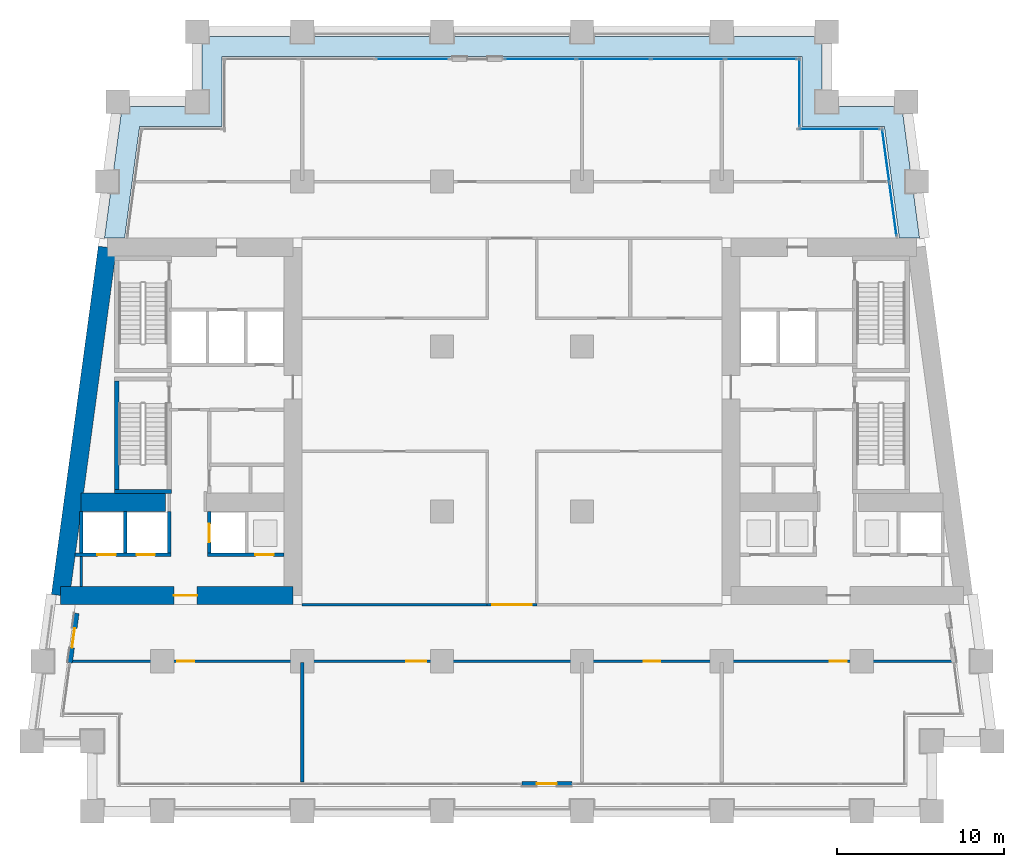
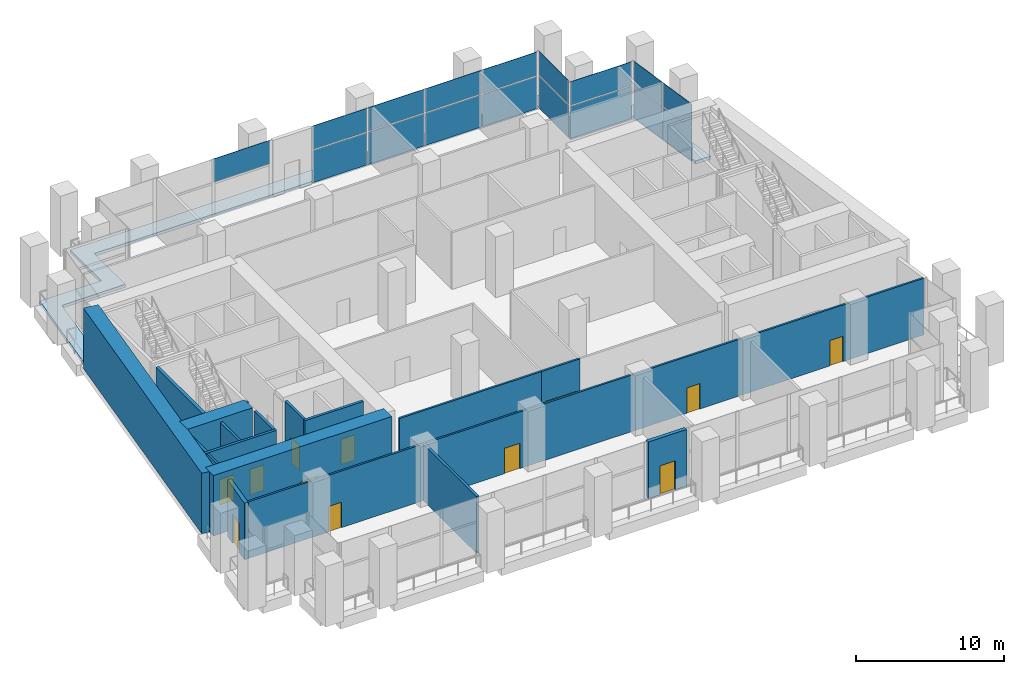
# One storey, part 7 of 15: 18 walls, 17 plates, 12 doors, 1 slab, 12 openings, 5 elements without a shape of their own.
"""IFC4 building model written with IfcOpenShell, lengths in metres."""

from ifc_helpers import new_model, si_unit, direction, frame, frame_2d, origin, origin_2d, place, context, subcontext, project, spatial, polyline, rectangle, outline, extrude, material, layer, layer_set, type_object, element, fill, aggregate, save


model = new_model("IFC4")

# Units and contexts
model_context = context("Model", 3, precision=1e-05, world=origin(), true_north=direction((0.0, 1.0)))
body_context = subcontext(model_context, "Body", "Model", "MODEL_VIEW")
ifc_project = project(units=[si_unit("LENGTHUNIT", "METRE"), si_unit("AREAUNIT", "SQUARE_METRE"), si_unit("VOLUMEUNIT", "CUBIC_METRE"), si_unit("PLANEANGLEUNIT", "RADIAN"), si_unit("MASSUNIT", "GRAM", prefix="KILO")], contexts=[model_context])

# Site, building, storey
site_placement = place(None, origin())
site = spatial("IfcSite", under=ifc_project, at=site_placement, CompositionType="ELEMENT")
building_placement = place(site_placement, origin())
building = spatial("IfcBuilding", under=site, at=building_placement, Name="Candeia Pilgrim Tower and Theatre", CompositionType="ELEMENT")
storey_placement = place(building_placement, frame((0.0, 0.0, 86.0)))
storey = spatial("IfcBuildingStorey", under=building, at=storey_placement, Name="L19", CompositionType="ELEMENT", Elevation=86.0)

# Curtain wall, plates
ifc_material_1 = material(Name="Aluminium framed sky lobby glazing", Category="aluminium")
curtain_wall_type = type_object("IfcCurtainWallType", Name="CW-S curtain wall", PredefinedType="NOTDEFINED", material=ifc_material_1)
curtain_wall_1_placement = place(storey_placement, origin())
curtain_wall_1 = element("IfcCurtainWall", 1, at=curtain_wall_1_placement, inside=storey, type_object=curtain_wall_type, Name="Curtain wall CW-S L19.310", PredefinedType="NOTDEFINED")
ifc_material_2 = material(Name="Laminated glass 2 x 6 mm", Category="glass")
ifc_layer_1 = layer(ifc_material_2, 0.031982421875)
ifc_layer_set_1 = layer_set([ifc_layer_1], Name="CW-S glass panel 32")
plate_type = type_object("IfcPlateType", Name="CW-S glass panel 32", PredefinedType="CURTAIN_PANEL", material=ifc_layer_set_1)
plate_1_placement = place(storey_placement, frame((136.271240234375, 134.1318359375, 0.0), z_axis=(0.0, 0.0, 1.0), x_axis=(-0.133412012145, 0.991060661622, 0.0)))
plate_1 = element("IfcPlate", 2, at=plate_1_placement, type_object=plate_type, Name="CW-S panel 1.1", PredefinedType="CURTAIN_PANEL", context=body_context, shape_type="SweptSolid", body=[
    extrude(rectangle(XDim=3.1650390625, YDim=0.031982421875, at=origin_2d()), origin(), (0.0, 0.0, 1.0), 2.659912109375),
])
plate_2_placement = place(storey_placement, frame((136.271240234375, 134.1318359375, 2.739990234375), z_axis=(0.0, 0.0, 1.0), x_axis=(-0.133412012145, 0.991060661622, 0.0)))
plate_2 = element("IfcPlate", 3, at=plate_2_placement, type_object=plate_type, Name="CW-S panel 1.2", PredefinedType="CURTAIN_PANEL", context=body_context, shape_type="SweptSolid", body=[
    extrude(rectangle(XDim=3.1650390625, YDim=0.031982421875, at=origin_2d()), origin(), (0.0, 0.0, 1.0), 1.93994140625),
])
plate_3_placement = place(storey_placement, frame((135.83837890625, 137.34814453125, 0.0), z_axis=(0.0, 0.0, 1.0), x_axis=(-0.133412012145, 0.991060661622, 0.0)))
plate_3 = element("IfcPlate", 4, at=plate_3_placement, type_object=plate_type, Name="CW-S panel 2.1", PredefinedType="CURTAIN_PANEL", context=body_context, shape_type="SweptSolid", body=[
    extrude(rectangle(XDim=3.1650390625, YDim=0.031982421875, at=origin_2d()), origin(), (0.0, 0.0, 1.0), 2.659912109375),
])
plate_4_placement = place(storey_placement, frame((135.83837890625, 137.34814453125, 2.739990234375), z_axis=(0.0, 0.0, 1.0), x_axis=(-0.133412012145, 0.991060661622, 0.0)))
plate_4 = element("IfcPlate", 5, at=plate_4_placement, type_object=plate_type, Name="CW-S panel 2.2", PredefinedType="CURTAIN_PANEL", context=body_context, shape_type="SweptSolid", body=[
    extrude(rectangle(XDim=3.1650390625, YDim=0.031982421875, at=origin_2d()), origin(), (0.0, 0.0, 1.0), 1.93994140625),
])
aggregate(curtain_wall_1, [plate_1, plate_2, plate_3, plate_4])

curtain_wall_2_placement = place(storey_placement, origin())
curtain_wall_2 = element("IfcCurtainWall", 6, at=curtain_wall_2_placement, inside=storey, type_object=curtain_wall_type, Name="Curtain wall CW-S L19.400", PredefinedType="NOTDEFINED")
plate_5_placement = place(storey_placement, frame((133.061279296875, 138.949951171875, 0.0), z_axis=(0.0, 0.0, 1.0), x_axis=(-1.0, 0.0, 0.0)))
plate_5 = element("IfcPlate", 7, at=plate_5_placement, type_object=plate_type, Name="CW-S panel 1.1", PredefinedType="CURTAIN_PANEL", context=body_context, shape_type="SweptSolid", body=[
    extrude(rectangle(XDim=4.792724609375, YDim=0.031982421875, at=origin_2d()), origin(), (0.0, 0.0, 1.0), 2.659912109375),
])
plate_6_placement = place(storey_placement, frame((133.061279296875, 138.949951171875, 2.739990234375), z_axis=(0.0, 0.0, 1.0), x_axis=(-1.0, 0.0, 0.0)))
plate_6 = element("IfcPlate", 8, at=plate_6_placement, type_object=plate_type, Name="CW-S panel 1.2", PredefinedType="CURTAIN_PANEL", context=body_context, shape_type="SweptSolid", body=[
    extrude(rectangle(XDim=4.792724609375, YDim=0.031982421875, at=origin_2d()), origin(), (0.0, 0.0, 1.0), 1.93994140625),
])
aggregate(curtain_wall_2, [plate_5, plate_6])

curtain_wall_3_placement = place(storey_placement, origin())
curtain_wall_3 = element("IfcCurtainWall", 9, at=curtain_wall_3_placement, inside=storey, type_object=curtain_wall_type, Name="Curtain wall CW-S L19.500", PredefinedType="NOTDEFINED")
plate_7_placement = place(storey_placement, frame((130.64990234375, 141.125, 0.0), z_axis=(0.0, 0.0, 1.0), x_axis=(0.0, 1.0, 0.0)))
plate_7 = element("IfcPlate", 10, at=plate_7_placement, type_object=plate_type, Name="CW-S panel 1.1", PredefinedType="CURTAIN_PANEL", context=body_context, shape_type="SweptSolid", body=[
    extrude(rectangle(XDim=4.02001953125, YDim=0.031982421875, at=origin_2d()), origin(), (0.0, 0.0, 1.0), 2.659912109375),
])
plate_8_placement = place(storey_placement, frame((130.64990234375, 141.125, 2.739990234375), z_axis=(0.0, 0.0, 1.0), x_axis=(0.0, 1.0, 0.0)))
plate_8 = element("IfcPlate", 11, at=plate_8_placement, type_object=plate_type, Name="CW-S panel 1.2", PredefinedType="CURTAIN_PANEL", context=body_context, shape_type="SweptSolid", body=[
    extrude(rectangle(XDim=4.02001953125, YDim=0.031982421875, at=origin_2d()), origin(), (0.0, 0.0, 1.0), 1.93994140625),
])
aggregate(curtain_wall_3, [plate_7, plate_8])

curtain_wall_4_placement = place(storey_placement, origin())
curtain_wall_4 = element("IfcCurtainWall", 12, at=curtain_wall_4_placement, inside=storey, type_object=curtain_wall_type, Name="Curtain wall CW-S L19.600", PredefinedType="NOTDEFINED")
plate_9_placement = place(storey_placement, frame((128.356201171875, 143.14990234375, 0.0), z_axis=(0.0, 0.0, 1.0), x_axis=(-1.0, 0.0, 0.0)))
plate_9 = element("IfcPlate", 13, at=plate_9_placement, type_object=plate_type, Name="CW-S panel 1.1", PredefinedType="CURTAIN_PANEL", context=body_context, shape_type="SweptSolid", body=[
    extrude(rectangle(XDim=4.257568359375, YDim=0.031982421875, at=origin_2d()), origin(), (0.0, 0.0, 1.0), 2.659912109375),
])
plate_10_placement = place(storey_placement, frame((128.356201171875, 143.14990234375, 2.739990234375), z_axis=(0.0, 0.0, 1.0), x_axis=(-1.0, 0.0, 0.0)))
plate_10 = element("IfcPlate", 14, at=plate_10_placement, type_object=plate_type, Name="CW-S panel 1.2", PredefinedType="CURTAIN_PANEL", context=body_context, shape_type="SweptSolid", body=[
    extrude(rectangle(XDim=4.257568359375, YDim=0.031982421875, at=origin_2d()), origin(), (0.0, 0.0, 1.0), 1.93994140625),
])
plate_11_placement = place(storey_placement, frame((123.956298828125, 143.14990234375, 0.0), z_axis=(0.0, 0.0, 1.0), x_axis=(-1.0, 0.0, 0.0)))
plate_11 = element("IfcPlate", 15, at=plate_11_placement, type_object=plate_type, Name="CW-S panel 2.1", PredefinedType="CURTAIN_PANEL", context=body_context, shape_type="SweptSolid", body=[
    extrude(rectangle(XDim=4.382568359375, YDim=0.031982421875, at=origin_2d()), origin(), (0.0, 0.0, 1.0), 2.659912109375),
])
plate_12_placement = place(storey_placement, frame((123.956298828125, 143.14990234375, 2.739990234375), z_axis=(0.0, 0.0, 1.0), x_axis=(-1.0, 0.0, 0.0)))
plate_12 = element("IfcPlate", 16, at=plate_12_placement, type_object=plate_type, Name="CW-S panel 2.2", PredefinedType="CURTAIN_PANEL", context=body_context, shape_type="SweptSolid", body=[
    extrude(rectangle(XDim=4.382568359375, YDim=0.031982421875, at=origin_2d()), origin(), (0.0, 0.0, 1.0), 1.93994140625),
])
plate_13_placement = place(storey_placement, frame((119.49365234375, 143.14990234375, 0.0), z_axis=(0.0, 0.0, 1.0), x_axis=(-1.0, 0.0, 0.0)))
plate_13 = element("IfcPlate", 17, at=plate_13_placement, type_object=plate_type, Name="CW-S panel 3.1", PredefinedType="CURTAIN_PANEL", context=body_context, shape_type="SweptSolid", body=[
    extrude(rectangle(XDim=4.382568359375, YDim=0.031982421875, at=origin_2d()), origin(), (0.0, 0.0, 1.0), 2.659912109375),
])
plate_14_placement = place(storey_placement, frame((119.49365234375, 143.14990234375, 2.739990234375), z_axis=(0.0, 0.0, 1.0), x_axis=(-1.0, 0.0, 0.0)))
plate_14 = element("IfcPlate", 18, at=plate_14_placement, type_object=plate_type, Name="CW-S panel 3.2", PredefinedType="CURTAIN_PANEL", context=body_context, shape_type="SweptSolid", body=[
    extrude(rectangle(XDim=4.382568359375, YDim=0.031982421875, at=origin_2d()), origin(), (0.0, 0.0, 1.0), 1.93994140625),
])
plate_15_placement = place(storey_placement, frame((115.09375, 143.14990234375, 0.0), z_axis=(0.0, 0.0, 1.0), x_axis=(-1.0, 0.0, 0.0)))
plate_15 = element("IfcPlate", 19, at=plate_15_placement, type_object=plate_type, Name="CW-S panel 4.1", PredefinedType="CURTAIN_PANEL", context=body_context, shape_type="SweptSolid", body=[
    extrude(rectangle(XDim=4.257568359375, YDim=0.031982421875, at=origin_2d()), origin(), (0.0, 0.0, 1.0), 2.659912109375),
])
plate_16_placement = place(storey_placement, frame((115.09375, 143.14990234375, 2.739990234375), z_axis=(0.0, 0.0, 1.0), x_axis=(-1.0, 0.0, 0.0)))
plate_16 = element("IfcPlate", 20, at=plate_16_placement, type_object=plate_type, Name="CW-S panel 4.2", PredefinedType="CURTAIN_PANEL", context=body_context, shape_type="SweptSolid", body=[
    extrude(rectangle(XDim=4.257568359375, YDim=0.031982421875, at=origin_2d()), origin(), (0.0, 0.0, 1.0), 1.93994140625),
])
aggregate(curtain_wall_4, [plate_9, plate_10, plate_11, plate_12, plate_13, plate_14, plate_15, plate_16])

# Curtain wall, plate
curtain_wall_5_placement = place(storey_placement, origin())
curtain_wall_5 = element("IfcCurtainWall", 21, at=curtain_wall_5_placement, inside=storey, type_object=curtain_wall_type, Name="Curtain wall CW-S L19.602", PredefinedType="NOTDEFINED")
plate_17_placement = place(storey_placement, frame((107.4375, 143.14990234375, 2.739990234375), z_axis=(0.0, 0.0, 1.0), x_axis=(-1.0, 0.0, 0.0)))
plate_17 = element("IfcPlate", 22, at=plate_17_placement, type_object=plate_type, Name="CW-S panel 1.2", PredefinedType="CURTAIN_PANEL", context=body_context, shape_type="SweptSolid", body=[
    extrude(rectangle(XDim=4.39501953125, YDim=0.031982421875, at=origin_2d()), origin(), (0.0, 0.0, 1.0), 1.93994140625),
])
aggregate(curtain_wall_5, [plate_17])

# Slab
ifc_material_3 = material(Name="Concrete C40/50", Category="concrete")
ifc_layer_2 = layer(ifc_material_3, 0.25)
ifc_layer_set_2 = layer_set([ifc_layer_2], Name="Loggia slab 250 C40/50")
slab_type = type_object("IfcSlabType", Name="Loggia slab 250 C40/50", PredefinedType="FLOOR", material=ifc_layer_set_2)
slab_placement = place(storey_placement, frame((0.0, 0.0, -0.25)))
element("IfcSlab", 23, at=slab_placement, inside=storey, type_object=slab_type, Name="Loggia slab L19 2", PredefinedType="FLOOR", context=body_context, shape_type="SweptSolid", body=[
    extrude(outline(polyline([(136.65576171875, 132.39990234375), (135.753662109375, 139.10009765625), (130.800048828125, 139.10009765625), (130.800048828125, 143.300048828125), (96.0, 143.300048828125), (96.0, 139.10009765625), (91.046142578125, 139.10009765625), (90.144287109375, 132.39990234375), (88.93359375, 132.39990234375), (89.996826171875, 140.300048828125), (94.800048828125, 140.300048828125), (94.800048828125, 144.5), (132.0, 144.5), (132.0, 140.300048828125), (136.802978515625, 140.300048828125), (137.866455078125, 132.39990234375), (136.65576171875, 132.39990234375)])), origin(), (0.0, 0.0, 1.0), 0.25),
])

# Wall, opening, door
ifc_material_4 = material(Name="Concrete C80/95", Category="concrete")
ifc_layer_3 = layer(ifc_material_4, 1.10009765625)
ifc_layer_set_3 = layer_set([ifc_layer_3], Name="Core wall 1100 C80/95")
wall_type_1 = type_object("IfcWallType", Name="Core wall 1100 C80/95", PredefinedType="SHEAR", material=ifc_layer_set_3)
wall_1_placement = place(storey_placement, frame((100.25, 110.949951171875, 0.0), z_axis=(0.0, 0.0, 1.0), x_axis=(-1.0, 0.0, 0.0)))
wall_1 = element("IfcWall", 24, at=wall_1_placement, inside=storey, type_object=wall_type_1, Name="Core wall W3", PredefinedType="SHEAR", context=body_context, shape_type="SweptSolid", body=[
    extrude(rectangle(XDim=13.95166015625, YDim=1.10009765625, at=frame_2d((6.975830078125, 0.0))), origin(), (0.0, 0.0, 1.0), 5.0),
])
opening_1_placement = place(wall_1_placement, frame((5.74755859375, 0.0, 0.0)))
opening_1 = element("IfcOpeningElement", 25, at=opening_1_placement, cuts=wall_1, Name="Opening L19-D027", PredefinedType="OPENING", context=body_context, shape_type="SweptSolid", body=[
    extrude(rectangle(XDim=1.39990234375, YDim=2.10009765625, at=frame_2d((0.699951171875, 1.050048828125))), frame((0.0, 0.56005859375, 0.0), z_axis=(0.0, -1.0, 0.0), x_axis=(1.0, 0.0, 0.0)), (0.0, 0.0, 1.0), 1.1201171875),
])
ifc_material_5 = material(Name="Steel fire door set", Category="steel")
door_type_1 = type_object("IfcDoorType", Name="D-1400-FD60", OperationType="NOTDEFINED", PredefinedType="DOOR", material=ifc_material_5)
door_1_placement = place(opening_1_placement, origin())
door_1 = element("IfcDoor", 26, at=door_1_placement, inside=storey, type_object=door_type_1, Name="Door L19-D027", OperationType="SINGLE_SWING_RIGHT", OverallHeight=2.10009765625, OverallWidth=1.39990234375, PredefinedType="DOOR", context=body_context, shape_type="SweptSolid", body=[
    extrude(rectangle(XDim=1.39990234375, YDim=2.10009765625, at=frame_2d((0.699951171875, 1.050048828125))), frame((0.0, 0.02490234375, 0.0), z_axis=(0.0, -1.0, 0.0), x_axis=(1.0, 0.0, 0.0)), (0.0, 0.0, 1.0), 0.050048828125),
])
fill(opening_1, door_1)

# Walls
wall_2_placement = place(storey_placement, frame((86.29833984375, 110.949951171875, 0.0), z_axis=(0.0, 0.0, 1.0), x_axis=(0.133400422634, 0.99106222168, 0.0)))
element("IfcWall", 27, at=wall_2_placement, inside=storey, type_object=wall_type_1, Name="Core wall W4", PredefinedType="SHEAR", context=body_context, shape_type="SweptSolid", body=[
    extrude(rectangle(XDim=21.088623046875, YDim=1.10009765625, at=frame_2d((10.54443359375, 0.0))), origin(), (0.0, 0.0, 1.0), 5.0),
])
wall_3_placement = place(storey_placement, frame((87.523193359375, 116.550048828125, 0.0), z_axis=(0.0, 0.0, 1.0), x_axis=(1.0, 0.0, 0.0)))
element("IfcWall", 28, at=wall_3_placement, inside=storey, type_object=wall_type_1, Name="Core wall W5", PredefinedType="SHEAR", context=body_context, shape_type="SweptSolid", body=[
    extrude(rectangle(XDim=5.076904296875, YDim=1.10009765625, at=frame_2d((2.53857421875, 0.0))), origin(), (0.0, 0.0, 1.0), 5.0),
])

# Wall, opening, door
ifc_material_6 = material(Name="Ceramic block masonry", Category="masonry")
ifc_layer_4 = layer(ifc_material_6, 0.300048828125)
ifc_layer_set_4 = layer_set([ifc_layer_4], Name="EW2 entrance infill wall 300")
wall_type_2 = type_object("IfcWallType", Name="EW2 entrance infill wall 300", PredefinedType="SOLIDWALL", material=ifc_layer_set_4)
wall_4_placement = place(storey_placement, frame((114.0, 99.64990234375, 0.0), z_axis=(0.0, 0.0, 1.0), x_axis=(1.0, 0.0, 0.0)))
wall_4 = element("IfcWall", 29, at=wall_4_placement, inside=storey, type_object=wall_type_2, Name="Infill wall L19", PredefinedType="SOLIDWALL", context=body_context, shape_type="SweptSolid", body=[
    extrude(rectangle(XDim=3.0, YDim=0.300048828125, at=frame_2d((1.5, 0.0))), origin(), (0.0, 0.0, 1.0), 4.679931640625),
])
opening_2_placement = place(wall_4_placement, frame((0.89990234375, 0.0, 0.0)))
opening_2 = element("IfcOpeningElement", 30, at=opening_2_placement, cuts=wall_4, Name="Opening L19-ED201", PredefinedType="OPENING", context=body_context, shape_type="SweptSolid", body=[
    extrude(rectangle(XDim=1.199951171875, YDim=2.39990234375, at=frame_2d((0.60009765625, 1.199951171875))), frame((0.0, 0.16015625, 0.0), z_axis=(0.0, -1.0, 0.0), x_axis=(1.0, 0.0, 0.0)), (0.0, 0.0, 1.0), 0.320068359375),
])
ifc_material_7 = material(Name="Aluminium framed glazed door", Category="aluminium")
door_type_2 = type_object("IfcDoorType", Name="Loggia door 1200x2400", OperationType="DOUBLE_DOOR_SINGLE_SWING", PredefinedType="DOOR", material=ifc_material_7)
door_2_placement = place(opening_2_placement, origin())
door_2 = element("IfcDoor", 31, at=door_2_placement, inside=storey, type_object=door_type_2, Name="Loggia door L19-ED201", OperationType="DOUBLE_DOOR_SINGLE_SWING", OverallHeight=2.39990234375, OverallWidth=1.199951171875, PredefinedType="DOOR", context=body_context, shape_type="SweptSolid", body=[
    extrude(rectangle(XDim=1.199951171875, YDim=2.39990234375, at=frame_2d((0.60009765625, 1.199951171875))), frame((0.0, 0.02490234375, 0.0), z_axis=(0.0, -1.0, 0.0), x_axis=(1.0, 0.0, 0.0)), (0.0, 0.0, 1.0), 0.050048828125),
])
fill(opening_2, door_2)

wall_5_placement = place(storey_placement, frame((87.264892578125, 109.886474609375, 0.0), z_axis=(0.0, 0.0, 1.0), x_axis=(-0.133384342957, -0.991064385927, 0.0)))
wall_5 = element("IfcWall", 32, at=wall_5_placement, inside=storey, type_object=wall_type_2, Name="Infill wall L19", PredefinedType="SOLIDWALL", context=body_context, shape_type="SweptSolid", body=[
    extrude(rectangle(XDim=3.0, YDim=0.300048828125, at=frame_2d((1.5, 0.0))), origin(), (0.0, 0.0, 1.0), 4.679931640625),
])
opening_3_placement = place(wall_5_placement, frame((0.89990234375, 0.0, 0.0)))
opening_3 = element("IfcOpeningElement", 33, at=opening_3_placement, cuts=wall_5, Name="Opening L19-ED204", PredefinedType="OPENING", context=body_context, shape_type="SweptSolid", body=[
    extrude(rectangle(XDim=1.199951171875, YDim=2.39990234375, at=frame_2d((0.60009765625, 1.199951171875))), frame((0.0, 0.16015625, 0.0), z_axis=(0.0, -1.0, 0.0), x_axis=(1.0, 0.0, 0.0)), (0.0, 0.0, 1.0), 0.320068359375),
])
door_3_placement = place(opening_3_placement, origin())
door_3 = element("IfcDoor", 34, at=door_3_placement, inside=storey, type_object=door_type_2, Name="Loggia door L19-ED204", OperationType="DOUBLE_DOOR_SINGLE_SWING", OverallHeight=2.39990234375, OverallWidth=1.199951171875, PredefinedType="DOOR", context=body_context, shape_type="SweptSolid", body=[
    extrude(rectangle(XDim=1.199951171875, YDim=2.39990234375, at=frame_2d((0.60009765625, 1.199951171875))), frame((0.0, 0.02490234375, 0.0), z_axis=(0.0, -1.0, 0.0), x_axis=(1.0, 0.0, 0.0)), (0.0, 0.0, 1.0), 0.050048828125),
])
fill(opening_3, door_3)

ifc_material_8 = material(Name="Gypsum board partition on steel studs", Category="steel")
ifc_layer_5 = layer(ifc_material_8, 0.14990234375)
ifc_layer_set_5 = layer_set([ifc_layer_5], Name="PW-150 lobby wall")
wall_type_3 = type_object("IfcWallType", Name="PW-150 lobby wall", PredefinedType="PARTITIONING", material=ifc_layer_set_5)
wall_6_placement = place(storey_placement, frame((111.89990234375, 110.39990234375, 0.0), z_axis=(0.0, 0.0, 1.0), x_axis=(1.0, 0.0, 0.0)))
wall_6 = element("IfcWall", 35, at=wall_6_placement, inside=storey, type_object=wall_type_3, Name="Lobby wall L19-002", PredefinedType="PARTITIONING", context=body_context, shape_type="SweptSolid", body=[
    extrude(rectangle(XDim=3.0, YDim=0.14990234375, at=frame_2d((1.5, 0.0))), origin(), (0.0, 0.0, 1.0), 4.679931640625),
])
opening_4_placement = place(wall_6_placement, frame((0.300048828125, 0.0, 0.0)))
opening_4 = element("IfcOpeningElement", 36, at=opening_4_placement, cuts=wall_6, Name="Opening L19-D001", PredefinedType="OPENING", context=body_context, shape_type="SweptSolid", body=[
    extrude(rectangle(XDim=2.39990234375, YDim=2.10009765625, at=frame_2d((1.199951171875, 1.050048828125))), frame((0.0, 0.0849609375, 0.0), z_axis=(0.0, -1.0, 0.0), x_axis=(1.0, 0.0, 0.0)), (0.0, 0.0, 1.0), 0.169921875),
])
door_type_3 = type_object("IfcDoorType", Name="D-2400-FD30S", OperationType="NOTDEFINED", PredefinedType="DOOR", material=ifc_material_5)
door_4_placement = place(opening_4_placement, origin())
door_4 = element("IfcDoor", 37, at=door_4_placement, inside=storey, type_object=door_type_3, Name="Door L19-D001", OperationType="SINGLE_SWING_RIGHT", OverallHeight=2.10009765625, OverallWidth=2.39990234375, PredefinedType="DOOR", context=body_context, shape_type="SweptSolid", body=[
    extrude(rectangle(XDim=2.39990234375, YDim=2.10009765625, at=frame_2d((1.199951171875, 1.050048828125))), frame((0.0, 0.02490234375, 0.0), z_axis=(0.0, -1.0, 0.0), x_axis=(1.0, 0.0, 0.0)), (0.0, 0.0, 1.0), 0.050048828125),
])
fill(opening_4, door_4)

# Wall
wall_7_placement = place(storey_placement, frame((87.530029296875, 111.5, 0.0), z_axis=(0.0, 0.0, 1.0), x_axis=(0.0, 1.0, 0.0)))
element("IfcWall", 38, at=wall_7_placement, inside=storey, type_object=wall_type_3, Name="Lobby wall L19-038", PredefinedType="PARTITIONING", context=body_context, shape_type="SweptSolid", body=[
    extrude(rectangle(XDim=1.800048828125, YDim=0.14990234375, at=frame_2d((0.89990234375, 0.0))), origin(), (0.0, 0.0, 1.0), 4.679931640625),
])

# Wall, openings, doors
ifc_layer_6 = layer(ifc_material_8, 0.14990234375)
ifc_layer_set_6 = layer_set([ifc_layer_6], Name="PW-150 unit wall")
wall_type_4 = type_object("IfcWallType", Name="PW-150 unit wall", PredefinedType="PARTITIONING", material=ifc_layer_set_6)
wall_8_placement = place(storey_placement, frame((86.9873046875, 107.0, 0.0), z_axis=(0.0, 0.0, 1.0), x_axis=(1.0, 0.0, 0.0)))
wall_8 = element("IfcWall", 39, at=wall_8_placement, inside=storey, type_object=wall_type_4, Name="Unit wall L19-001", PredefinedType="PARTITIONING", context=body_context, shape_type="SweptSolid", body=[
    extrude(rectangle(XDim=52.8251953125, YDim=0.14990234375, at=frame_2d((26.41259765625, 0.0))), origin(), (0.0, 0.0, 1.0), 4.679931640625),
])
opening_5_placement = place(wall_8_placement, frame((6.32470703125, 0.0, 0.0)))
opening_5 = element("IfcOpeningElement", 40, at=opening_5_placement, cuts=wall_8, Name="Opening L19-D008", PredefinedType="OPENING", context=body_context, shape_type="SweptSolid", body=[
    extrude(rectangle(XDim=1.0, YDim=2.10009765625, at=frame_2d((0.5, 1.050048828125))), frame((0.0, 0.0849609375, 0.0), z_axis=(0.0, -1.0, 0.0), x_axis=(1.0, 0.0, 0.0)), (0.0, 0.0, 1.0), 0.169921875),
])
opening_6_placement = place(wall_8_placement, frame((20.072509765625, 0.0, 0.0)))
opening_6 = element("IfcOpeningElement", 41, at=opening_6_placement, cuts=wall_8, Name="Opening L19-D009", PredefinedType="OPENING", context=body_context, shape_type="SweptSolid", body=[
    extrude(rectangle(XDim=1.199951171875, YDim=2.10009765625, at=frame_2d((0.60009765625, 1.050048828125))), frame((0.0, 0.0849609375, 0.0), z_axis=(0.0, -1.0, 0.0), x_axis=(1.0, 0.0, 0.0)), (0.0, 0.0, 1.0), 0.169921875),
])
opening_7_placement = place(wall_8_placement, frame((34.3125, 0.0, 0.0)))
opening_7 = element("IfcOpeningElement", 42, at=opening_7_placement, cuts=wall_8, Name="Opening L19-D010", PredefinedType="OPENING", context=body_context, shape_type="SweptSolid", body=[
    extrude(rectangle(XDim=1.0, YDim=2.10009765625, at=frame_2d((0.5, 1.050048828125))), frame((0.0, 0.0849609375, 0.0), z_axis=(0.0, -1.0, 0.0), x_axis=(1.0, 0.0, 0.0)), (0.0, 0.0, 1.0), 0.169921875),
])
opening_8_placement = place(wall_8_placement, frame((45.50048828125, 0.0, 0.0)))
opening_8 = element("IfcOpeningElement", 43, at=opening_8_placement, cuts=wall_8, Name="Opening L19-D011", PredefinedType="OPENING", context=body_context, shape_type="SweptSolid", body=[
    extrude(rectangle(XDim=1.0, YDim=2.10009765625, at=frame_2d((0.5, 1.050048828125))), frame((0.0, 0.0849609375, 0.0), z_axis=(0.0, -1.0, 0.0), x_axis=(1.0, 0.0, 0.0)), (0.0, 0.0, 1.0), 0.169921875),
])
door_type_4 = type_object("IfcDoorType", Name="D-1000-FD30S", OperationType="NOTDEFINED", PredefinedType="DOOR", material=ifc_material_5)
door_5_placement = place(opening_5_placement, origin())
door_5 = element("IfcDoor", 44, at=door_5_placement, inside=storey, type_object=door_type_4, Name="Door L19-D008", OperationType="SINGLE_SWING_LEFT", OverallHeight=2.10009765625, OverallWidth=1.0, PredefinedType="DOOR", context=body_context, shape_type="SweptSolid", body=[
    extrude(rectangle(XDim=1.0, YDim=2.10009765625, at=frame_2d((0.5, 1.050048828125))), frame((0.0, 0.02490234375, 0.0), z_axis=(0.0, -1.0, 0.0), x_axis=(1.0, 0.0, 0.0)), (0.0, 0.0, 1.0), 0.050048828125),
])
fill(opening_5, door_5)
door_6_placement = place(opening_7_placement, origin())
door_6 = element("IfcDoor", 45, at=door_6_placement, inside=storey, type_object=door_type_4, Name="Door L19-D010", OperationType="SINGLE_SWING_LEFT", OverallHeight=2.10009765625, OverallWidth=1.0, PredefinedType="DOOR", context=body_context, shape_type="SweptSolid", body=[
    extrude(rectangle(XDim=1.0, YDim=2.10009765625, at=frame_2d((0.5, 1.050048828125))), frame((0.0, 0.02490234375, 0.0), z_axis=(0.0, -1.0, 0.0), x_axis=(1.0, 0.0, 0.0)), (0.0, 0.0, 1.0), 0.050048828125),
])
fill(opening_7, door_6)
door_7_placement = place(opening_8_placement, origin())
door_7 = element("IfcDoor", 46, at=door_7_placement, inside=storey, type_object=door_type_4, Name="Door L19-D011", OperationType="SINGLE_SWING_RIGHT", OverallHeight=2.10009765625, OverallWidth=1.0, PredefinedType="DOOR", context=body_context, shape_type="SweptSolid", body=[
    extrude(rectangle(XDim=1.0, YDim=2.10009765625, at=frame_2d((0.5, 1.050048828125))), frame((0.0, 0.02490234375, 0.0), z_axis=(0.0, -1.0, 0.0), x_axis=(1.0, 0.0, 0.0)), (0.0, 0.0, 1.0), 0.050048828125),
])
fill(opening_8, door_7)
door_type_5 = type_object("IfcDoorType", Name="D-1200-FD30S", OperationType="NOTDEFINED", PredefinedType="DOOR", material=ifc_material_5)
door_8_placement = place(opening_6_placement, origin())
door_8 = element("IfcDoor", 47, at=door_8_placement, inside=storey, type_object=door_type_5, Name="Door L19-D009", OperationType="SINGLE_SWING_RIGHT", OverallHeight=2.10009765625, OverallWidth=1.199951171875, PredefinedType="DOOR", context=body_context, shape_type="SweptSolid", body=[
    extrude(rectangle(XDim=1.199951171875, YDim=2.10009765625, at=frame_2d((0.60009765625, 1.050048828125))), frame((0.0, 0.02490234375, 0.0), z_axis=(0.0, -1.0, 0.0), x_axis=(1.0, 0.0, 0.0)), (0.0, 0.0, 1.0), 0.050048828125),
])
fill(opening_6, door_8)

# Walls
wall_9_placement = place(storey_placement, frame((100.800048828125, 110.39990234375, 0.0), z_axis=(0.0, 0.0, 1.0), x_axis=(1.0, 0.0, 0.0)))
element("IfcWall", 48, at=wall_9_placement, inside=storey, type_object=wall_type_4, Name="Unit wall L19-003", PredefinedType="PARTITIONING", context=body_context, shape_type="SweptSolid", body=[
    extrude(rectangle(XDim=11.099853515625, YDim=0.14990234375, at=frame_2d((5.5498046875, 0.0))), origin(), (0.0, 0.0, 1.0), 4.679931640625),
])
ifc_layer_7 = layer(ifc_material_8, 0.199951171875)
ifc_layer_set_7 = layer_set([ifc_layer_7], Name="PW-200 party wall")
wall_type_5 = type_object("IfcWallType", Name="PW-200 party wall", PredefinedType="PARTITIONING", material=ifc_layer_set_7)
wall_10_placement = place(storey_placement, frame((100.800048828125, 99.760009765625, 0.0), z_axis=(0.0, 0.0, 1.0), x_axis=(0.0, 1.0, 0.0)))
element("IfcWall", 49, at=wall_10_placement, inside=storey, type_object=wall_type_5, Name="Party wall L19-054", PredefinedType="PARTITIONING", context=body_context, shape_type="SweptSolid", body=[
    extrude(rectangle(XDim=7.1650390625, YDim=0.199951171875, at=frame_2d((3.58251953125, 0.0))), origin(), (0.0, 0.0, 1.0), 4.679931640625),
])

# Wall, openings, doors
ifc_layer_8 = layer(ifc_material_3, 0.199951171875)
ifc_layer_set_8 = layer_set([ifc_layer_8], Name="SW-200 shaft wall")
wall_type_6 = type_object("IfcWallType", Name="SW-200 shaft wall", PredefinedType="PARTITIONING", material=ifc_layer_set_8)
wall_11_placement = place(storey_placement, frame((87.153076171875, 113.39990234375, 0.0), z_axis=(0.0, 0.0, 1.0), x_axis=(1.0, 0.0, 0.0)))
wall_11 = element("IfcWall", 50, at=wall_11_placement, inside=storey, type_object=wall_type_6, Name="Shaft wall L19-005", PredefinedType="PARTITIONING", context=body_context, shape_type="SweptSolid", body=[
    extrude(rectangle(XDim=5.77392578125, YDim=0.199951171875, at=frame_2d((2.886962890625, 0.0))), origin(), (0.0, 0.0, 1.0), 4.679931640625),
])
opening_9_placement = place(wall_11_placement, frame((1.363037109375, 0.0, 0.0)))
opening_9 = element("IfcOpeningElement", 51, at=opening_9_placement, cuts=wall_11, Name="Opening L19-LD03", PredefinedType="OPENING", context=body_context, shape_type="SweptSolid", body=[
    extrude(rectangle(XDim=1.10009765625, YDim=2.10009765625, at=frame_2d((0.550048828125, 1.050048828125))), frame((0.0, 0.10986328125, 0.0), z_axis=(0.0, -1.0, 0.0), x_axis=(1.0, 0.0, 0.0)), (0.0, 0.0, 1.0), 0.219970703125),
])
opening_10_placement = place(wall_11_placement, frame((3.715087890625, 0.0, 0.0)))
opening_10 = element("IfcOpeningElement", 52, at=opening_10_placement, cuts=wall_11, Name="Opening L19-LD04", PredefinedType="OPENING", context=body_context, shape_type="SweptSolid", body=[
    extrude(rectangle(XDim=1.10009765625, YDim=2.10009765625, at=frame_2d((0.550048828125, 1.050048828125))), frame((0.0, 0.10986328125, 0.0), z_axis=(0.0, -1.0, 0.0), x_axis=(1.0, 0.0, 0.0)), (0.0, 0.0, 1.0), 0.219970703125),
])
ifc_material_9 = material(Name="Glazed aluminium landing door", Category="aluminium")
door_type_6 = type_object("IfcDoorType", Name="LD-1100-EI120", OperationType="SLIDING_TO_LEFT", PredefinedType="DOOR", material=ifc_material_9)
door_9_placement = place(opening_9_placement, origin())
door_9 = element("IfcDoor", 53, at=door_9_placement, inside=storey, type_object=door_type_6, Name="Landing door 03 L19", OperationType="SLIDING_TO_LEFT", OverallHeight=2.10009765625, OverallWidth=1.10009765625, PredefinedType="DOOR", context=body_context, shape_type="SweptSolid", body=[
    extrude(rectangle(XDim=1.10009765625, YDim=2.10009765625, at=frame_2d((0.550048828125, 1.050048828125))), frame((0.0, 0.02490234375, 0.0), z_axis=(0.0, -1.0, 0.0), x_axis=(1.0, 0.0, 0.0)), (0.0, 0.0, 1.0), 0.050048828125),
])
fill(opening_9, door_9)
door_10_placement = place(opening_10_placement, origin())
door_10 = element("IfcDoor", 54, at=door_10_placement, inside=storey, type_object=door_type_6, Name="Landing door 04 L19", OperationType="SLIDING_TO_LEFT", OverallHeight=2.10009765625, OverallWidth=1.10009765625, PredefinedType="DOOR", context=body_context, shape_type="SweptSolid", body=[
    extrude(rectangle(XDim=1.10009765625, YDim=2.10009765625, at=frame_2d((0.550048828125, 1.050048828125))), frame((0.0, 0.02490234375, 0.0), z_axis=(0.0, -1.0, 0.0), x_axis=(1.0, 0.0, 0.0)), (0.0, 0.0, 1.0), 0.050048828125),
])
fill(opening_10, door_10)

# Wall, opening, door
wall_12_placement = place(storey_placement, frame((95.126953125, 113.39990234375, 0.0), z_axis=(0.0, 0.0, 1.0), x_axis=(1.0, 0.0, 0.0)))
wall_12 = element("IfcWall", 55, at=wall_12_placement, inside=storey, type_object=wall_type_6, Name="Shaft wall L19-006", PredefinedType="PARTITIONING", context=body_context, shape_type="SweptSolid", body=[
    extrude(rectangle(XDim=4.572998046875, YDim=0.199951171875, at=frame_2d((2.28662109375, 0.0))), origin(), (0.0, 0.0, 1.0), 4.679931640625),
])
opening_11_placement = place(wall_12_placement, frame((2.861083984375, 0.0, 0.0)))
opening_11 = element("IfcOpeningElement", 56, at=opening_11_placement, cuts=wall_12, Name="Opening L19-LD06", PredefinedType="OPENING", context=body_context, shape_type="SweptSolid", body=[
    extrude(rectangle(XDim=1.10009765625, YDim=2.10009765625, at=frame_2d((0.550048828125, 1.050048828125))), frame((0.0, 0.10986328125, 0.0), z_axis=(0.0, -1.0, 0.0), x_axis=(1.0, 0.0, 0.0)), (0.0, 0.0, 1.0), 0.219970703125),
])
door_11_placement = place(opening_11_placement, origin())
door_11 = element("IfcDoor", 57, at=door_11_placement, inside=storey, type_object=door_type_6, Name="Landing door 06 L19", OperationType="SLIDING_TO_LEFT", OverallHeight=2.10009765625, OverallWidth=1.10009765625, PredefinedType="DOOR", context=body_context, shape_type="SweptSolid", body=[
    extrude(rectangle(XDim=1.10009765625, YDim=2.10009765625, at=frame_2d((0.550048828125, 1.050048828125))), frame((0.0, 0.02490234375, 0.0), z_axis=(0.0, -1.0, 0.0), x_axis=(1.0, 0.0, 0.0)), (0.0, 0.0, 1.0), 0.050048828125),
])
fill(opening_11, door_11)

# Walls
for number, where, z_axis, x_axis, name in (
    (58, (87.552001953125, 113.5, 0.0), (0.0, 0.0, 1.0), (0.0, 1.0, 0.0), "Shaft wall L19-037"),
    (59, (90.178466796875, 113.5, 0.0), (0.0, 0.0, 1.0), (0.0, 1.0, 0.0), "Shaft wall L19-041"),
    (60, (92.826904296875, 113.5, 0.0), (0.0, 0.0, 1.0), (0.0, 1.0, 0.0), "Shaft wall L19-042"),
):
    element("IfcWall", number, at=place(storey_placement, frame(where, z_axis=z_axis, x_axis=x_axis)), inside=storey, type_object=wall_type_6, Name=name, PredefinedType="PARTITIONING", context=body_context, shape_type="SweptSolid", body=[
        extrude(rectangle(XDim=2.5, YDim=0.199951171875, at=frame_2d((1.25, 0.0))), origin(), (0.0, 0.0, 1.0), 4.679931640625),
    ])

# Wall, opening, door
wall_13_placement = place(storey_placement, frame((95.22705078125, 113.5, 0.0), z_axis=(0.0, 0.0, 1.0), x_axis=(0.0, 1.0, 0.0)))
wall_13 = element("IfcWall", 61, at=wall_13_placement, inside=storey, type_object=wall_type_6, Name="Shaft wall L19-049", PredefinedType="PARTITIONING", context=body_context, shape_type="SweptSolid", body=[
    extrude(rectangle(XDim=2.5, YDim=0.199951171875, at=frame_2d((1.25, 0.0))), origin(), (0.0, 0.0, 1.0), 4.679931640625),
])
opening_12_placement = place(wall_13_placement, frame((0.64990234375, 0.0, 0.0)))
opening_12 = element("IfcOpeningElement", 62, at=opening_12_placement, cuts=wall_13, Name="Opening L19-LD05", PredefinedType="OPENING", context=body_context, shape_type="SweptSolid", body=[
    extrude(rectangle(XDim=1.10009765625, YDim=2.10009765625, at=frame_2d((0.550048828125, 1.050048828125))), frame((0.0, 0.10986328125, 0.0), z_axis=(0.0, -1.0, 0.0), x_axis=(1.0, 0.0, 0.0)), (0.0, 0.0, 1.0), 0.219970703125),
])
door_12_placement = place(opening_12_placement, origin())
door_12 = element("IfcDoor", 63, at=door_12_placement, inside=storey, type_object=door_type_6, Name="Landing door 05 L19", OperationType="SLIDING_TO_LEFT", OverallHeight=2.10009765625, OverallWidth=1.10009765625, PredefinedType="DOOR", context=body_context, shape_type="SweptSolid", body=[
    extrude(rectangle(XDim=1.10009765625, YDim=2.10009765625, at=frame_2d((0.550048828125, 1.050048828125))), frame((0.0, 0.02490234375, 0.0), z_axis=(0.0, -1.0, 0.0), x_axis=(1.0, 0.0, 0.0)), (0.0, 0.0, 1.0), 0.050048828125),
])
fill(opening_12, door_12)

# Walls
ifc_layer_9 = layer(ifc_material_3, 0.25)
ifc_layer_set_9 = layer_set([ifc_layer_9], Name="SW-250 stair wall")
wall_type_7 = type_object("IfcWallType", Name="SW-250 stair wall", PredefinedType="PARTITIONING", material=ifc_layer_set_9)
wall_14_placement = place(storey_placement, frame((89.552001953125, 117.199951171875, 0.0), z_axis=(0.0, 0.0, 1.0), x_axis=(1.0, 0.0, 0.0)))
element("IfcWall", 64, at=wall_14_placement, inside=storey, type_object=wall_type_7, Name="Stair wall L19-009", PredefinedType="PARTITIONING", context=body_context, shape_type="SweptSolid", body=[
    extrude(rectangle(XDim=3.39990234375, YDim=0.25, at=frame_2d((1.699951171875, 0.0))), origin(), (0.0, 0.0, 1.0), 4.679931640625),
])
wall_15_placement = place(storey_placement, frame((89.677001953125, 117.070068359375, 0.0), z_axis=(0.0, 0.0, 1.0), x_axis=(0.0, 1.0, 0.0)))
element("IfcWall", 65, at=wall_15_placement, inside=storey, type_object=wall_type_7, Name="Stair wall L19-039", PredefinedType="PARTITIONING", context=body_context, shape_type="SweptSolid", body=[
    extrude(rectangle(XDim=6.7548828125, YDim=0.25, at=frame_2d((3.37744140625, 0.0))), origin(), (0.0, 0.0, 1.0), 4.679931640625),
])

save(model, "model.ifc")
